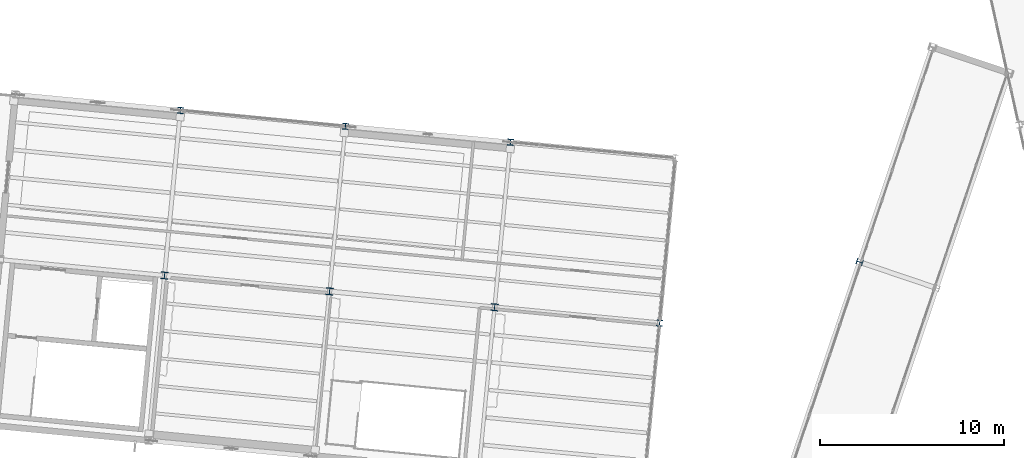
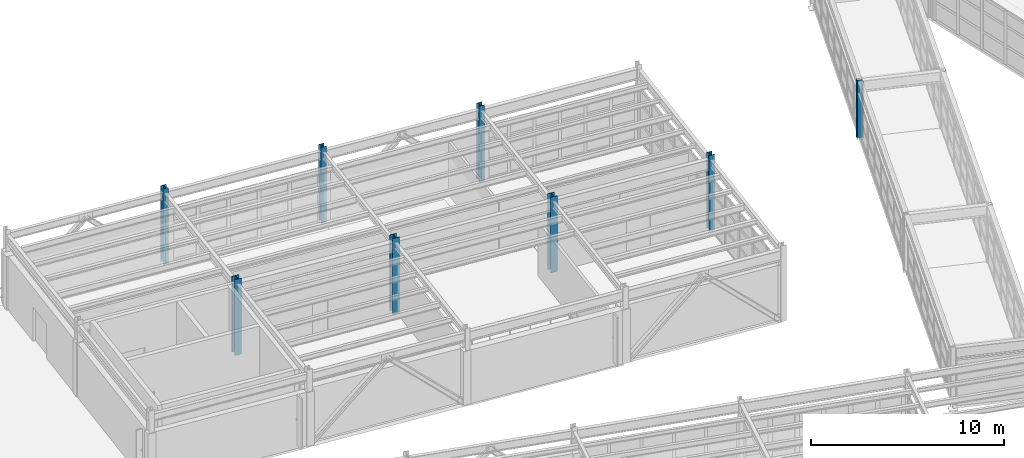
# One storey, part 12 of 102: 8 columns.
"""IFC4 building model written with IfcOpenShell, lengths in metres."""

from ifc_helpers import new_model, si_unit, direction, frame, origin, origin_2d, place, context, subcontext, project, spatial, i_section, extrude, material, material_profile, profile_set, type_object, element, save


model = new_model("IFC4")

# Units and contexts
model_context = context("Model", 3, precision=1e-05, world=origin(), true_north=direction((0.0, 1.0)))
body_context = subcontext(model_context, "Body", "Model", "MODEL_VIEW")
ifc_project = project(units=[si_unit("LENGTHUNIT", "METRE"), si_unit("AREAUNIT", "SQUARE_METRE"), si_unit("VOLUMEUNIT", "CUBIC_METRE"), si_unit("PLANEANGLEUNIT", "RADIAN"), si_unit("MASSUNIT", "GRAM", prefix="KILO")], contexts=[model_context])

# Site, building, storey
site_placement = place(None, origin())
site = spatial("IfcSite", under=ifc_project, at=site_placement, CompositionType="ELEMENT")
building_placement = place(site_placement, origin())
building = spatial("IfcBuilding", under=site, at=building_placement, Name="Vireo Bluff Cable Station", CompositionType="ELEMENT")
storey_placement = place(building_placement, frame((0.0, 0.0, 9.60009765625)))
storey = spatial("IfcBuildingStorey", under=building, at=storey_placement, Name="L02", CompositionType="ELEMENT", Elevation=9.60009765625)

# Columns
ifc_material = material(Name="Steel ASTM A992 Gr. 50", Category="steel")
ifc_material_profile_1 = material_profile(ifc_material, i_section(OverallWidth=0.39404296875, OverallDepth=0.3759765625, WebThickness=0.017333984375, FlangeThickness=0.027587890625, FilletRadius=0.014892578125, at=origin_2d()), Name="W14X145")
ifc_profile_set_1 = profile_set([ifc_material_profile_1], Name="Steel ASTM A992 Gr. 50")
column_type_1 = type_object("IfcColumnType", Name="COL-W14X145", PredefinedType="COLUMN", material=ifc_profile_set_1)
for number, where, z_axis, x_axis, name in (
    (1, (77.559326171875, 75.099853515625, 0.0), (0.0, 0.0, 1.0), (0.995396198367, -0.09584575252, 0.0), "V3 L02 column 215"),
    (2, (95.476318359375, 73.37451171875, 0.0), (0.0, 0.0, 1.0), (0.995396198367, -0.09584575252, 0.0), "V3 L02 column 233"),
):
    element("IfcColumn", number, at=place(storey_placement, frame(where, z_axis=z_axis, x_axis=x_axis)), inside=storey, type_object=column_type_1, Name=name, PredefinedType="COLUMN", context=body_context, shape_type="SweptSolid", body=[
        extrude(i_section(OverallWidth=0.39404296875, OverallDepth=0.3759765625, WebThickness=0.017333984375, FlangeThickness=0.027587890625, FilletRadius=0.014892578125, at=origin_2d()), origin(), (0.0, 0.0, 1.0), 4.7998046875),
    ])
ifc_material_profile_2 = material_profile(ifc_material, i_section(OverallWidth=0.39599609375, OverallDepth=0.381103515625, WebThickness=0.018798828125, FlangeThickness=0.0302734375, FilletRadius=0.014892578125, at=origin_2d()), Name="W14X159")
ifc_profile_set_2 = profile_set([ifc_material_profile_2], Name="Steel ASTM A992 Gr. 50")
column_type_2 = type_object("IfcColumnType", Name="COL-W14X159", PredefinedType="COLUMN", material=ifc_profile_set_2)
column_1_placement = place(storey_placement, frame((86.517822265625, 74.2373046875, 0.0), z_axis=(0.0, 0.0, 1.0), x_axis=(0.995396198367, -0.09584575252, 0.0)))
element("IfcColumn", 3, at=column_1_placement, inside=storey, type_object=column_type_2, Name="V3 L02 column 224", PredefinedType="COLUMN", context=body_context, shape_type="SweptSolid", body=[
    extrude(i_section(OverallWidth=0.39599609375, OverallDepth=0.381103515625, WebThickness=0.018798828125, FlangeThickness=0.0302734375, FilletRadius=0.014892578125, at=origin_2d()), origin(), (0.0, 0.0, 1.0), 4.7998046875),
])
ifc_material_profile_3 = material_profile(ifc_material, i_section(OverallWidth=0.31298828125, OverallDepth=0.3330078125, WebThickness=0.01806640625, FlangeThickness=0.028076171875, FilletRadius=0.012939453125, at=origin_2d()), Name="W12X120")
ifc_profile_set_3 = profile_set([ifc_material_profile_3], Name="Steel ASTM A992 Gr. 50")
column_type_3 = type_object("IfcColumnType", Name="ECOL-W12X120", PredefinedType="COLUMN", material=ifc_profile_set_3)
for number, where, z_axis, x_axis, name in (
    (4, (78.421875, 84.058349609375, 0.0), (0.0, 0.0, 1.0), (0.995396198367, -0.09584575252, 0.0), "V3 L02 column 218"),
    (5, (96.339111328125, 82.333251953125, 0.0), (0.0, 0.0, 1.0), (0.995396198367, -0.09584575252, 0.0), "V3 L02 column 236"),
    (6, (104.43505859375, 72.511962890625, 0.0), (0.0, 0.0, 1.0), (0.995396198367, -0.09584575252, 0.0), "V3 L02 column 242"),
):
    element("IfcColumn", number, at=place(storey_placement, frame(where, z_axis=z_axis, x_axis=x_axis)), inside=storey, type_object=column_type_3, Name=name, PredefinedType="COLUMN", context=body_context, shape_type="SweptSolid", body=[
        extrude(i_section(OverallWidth=0.31298828125, OverallDepth=0.3330078125, WebThickness=0.01806640625, FlangeThickness=0.028076171875, FilletRadius=0.012939453125, at=origin_2d()), origin(), (0.0, 0.0, 1.0), 4.7998046875),
    ])
column_2_placement = place(storey_placement, frame((115.291259765625, 75.82861328125, 0.0), z_axis=(0.0, 0.0, 1.0), x_axis=(0.32035190998, 0.947298608556, 0.0)))
element("IfcColumn", 7, at=column_2_placement, inside=storey, type_object=column_type_3, Name="HAUL-DRIVE skybridge column 3R L02", PredefinedType="COLUMN", context=body_context, shape_type="SweptSolid", body=[
    extrude(i_section(OverallWidth=0.31298828125, OverallDepth=0.3330078125, WebThickness=0.01806640625, FlangeThickness=0.028076171875, FilletRadius=0.012939453125, at=origin_2d()), origin(), (0.0, 0.0, 1.0), 3.6298828125),
])
ifc_material_profile_4 = material_profile(ifc_material, i_section(OverallWidth=0.30908203125, OverallDepth=0.322998046875, WebThickness=0.013916015625, FlangeThickness=0.02294921875, FilletRadius=0.012939453125, at=origin_2d()), Name="W12X96")
ifc_profile_set_4 = profile_set([ifc_material_profile_4], Name="Steel ASTM A992 Gr. 50")
column_type_4 = type_object("IfcColumnType", Name="ECOL-W12X96", PredefinedType="COLUMN", material=ifc_profile_set_4)
column_3_placement = place(storey_placement, frame((87.38037109375, 83.19580078125, 0.0), z_axis=(0.0, 0.0, 1.0), x_axis=(0.995396198367, -0.09584575252, 0.0)))
element("IfcColumn", 8, at=column_3_placement, inside=storey, type_object=column_type_4, Name="V3 L02 column 227", PredefinedType="COLUMN", context=body_context, shape_type="SweptSolid", body=[
    extrude(i_section(OverallWidth=0.30908203125, OverallDepth=0.322998046875, WebThickness=0.013916015625, FlangeThickness=0.02294921875, FilletRadius=0.012939453125, at=origin_2d()), origin(), (0.0, 0.0, 1.0), 4.7998046875),
])

save(model, "model.ifc")
